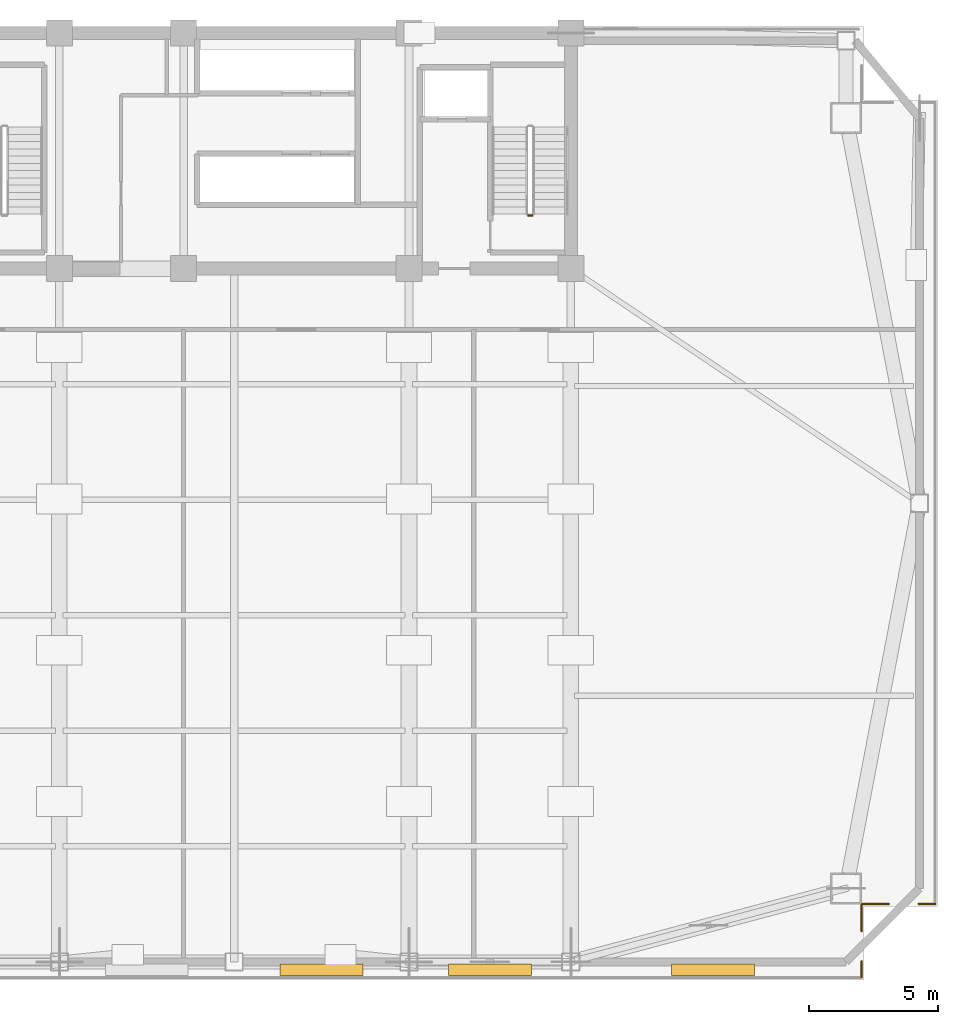
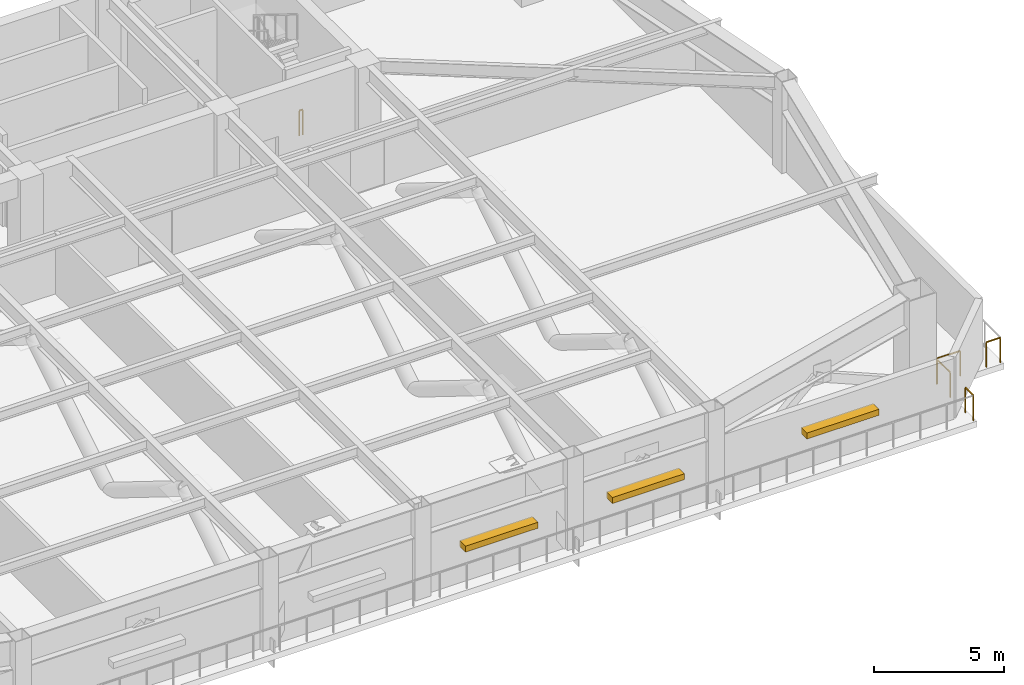
# One storey, part 8 of 11: 5 railings, 3 shading devices.
"""IFC4 building model written with IfcOpenShell, lengths in metres."""

from ifc_helpers import new_model, si_unit, direction, frame, origin, origin_2d, place, context, subcontext, project, spatial, rectangle, extrude, source, transform, mapped, material, type_object, element, save


model = new_model("IFC4")

# Units and contexts
model_context = context("Model", 3, precision=1e-05, world=origin(), true_north=direction((0.0, 1.0)))
body_context = subcontext(model_context, "Body", "Model", "MODEL_VIEW")
ifc_project = project(units=[si_unit("LENGTHUNIT", "METRE"), si_unit("AREAUNIT", "SQUARE_METRE"), si_unit("VOLUMEUNIT", "CUBIC_METRE"), si_unit("PLANEANGLEUNIT", "RADIAN"), si_unit("MASSUNIT", "GRAM", prefix="KILO")], contexts=[model_context])

# Site, building, storey
site_placement = place(None, origin())
site = spatial("IfcSite", under=ifc_project, at=site_placement, CompositionType="ELEMENT")
building_placement = place(site_placement, origin())
building = spatial("IfcBuilding", under=site, at=building_placement, Name="Giltprow Tower", CompositionType="ELEMENT")
storey_placement = place(building_placement, frame((0.0, 0.0, 191.199951171875)))
storey = spatial("IfcBuildingStorey", under=building, at=storey_placement, Name="L48", CompositionType="ELEMENT", Elevation=191.199951171875)

# Railings
ifc_material = material(Name="Anodized bronze", Category="metal")
railing_type_1 = type_object("IfcRailingType", Name="RAIL-BALC-GUARD-1200", PredefinedType="BALUSTRADE", material=ifc_material)
railing_1_placement = place(storey_placement, frame((64.612060546875, 12.916015625, 0.0)))
element("IfcRailing", 1, at=railing_1_placement, inside=storey, type_object=railing_type_1, Name="L48 Corner Apron Edge Balustrade 13", PredefinedType="BALUSTRADE", context=body_context, shape_type="SweptSolid", body=[
    extrude(rectangle(XDim=0.048095703125, YDim=0.048095703125, at=origin_2d()), frame((0.0, 0.0, 1.17578125), z_axis=(-1.0, 0.0, 0.0), x_axis=(0.0, -1.0, 0.0)), (0.0, 0.0, 1.0), 0.619140625),
    extrude(rectangle(XDim=0.0419921875, YDim=0.0419921875, at=origin_2d()), origin(), (0.0, 0.0, 1.0), 1.15185546875),
    extrude(rectangle(XDim=0.0419921875, YDim=0.0419921875, at=origin_2d()), frame((-0.619140625, 0.0, 0.0)), (0.0, 0.0, 1.0), 1.15185546875),
])
railing_2_placement = place(storey_placement, frame((62.8330078125, 12.916015625, 0.0)))
element("IfcRailing", 2, at=railing_2_placement, inside=storey, type_object=railing_type_1, Name="L48 Corner Apron Edge Balustrade 14", PredefinedType="BALUSTRADE", context=body_context, shape_type="SweptSolid", body=[
    extrude(rectangle(XDim=0.048095703125, YDim=0.048095703125, at=origin_2d()), frame((0.0, 0.0, 1.17578125), z_axis=(-1.0, 0.0, 0.0), x_axis=(0.0, -1.0, 0.0)), (0.0, 0.0, 1.0), 1.02099609375),
    extrude(rectangle(XDim=0.0419921875, YDim=0.0419921875, at=origin_2d()), origin(), (0.0, 0.0, 1.0), 1.15185546875),
    extrude(rectangle(XDim=0.0419921875, YDim=0.0419921875, at=origin_2d()), frame((-1.02099609375, 0.0, 0.0)), (0.0, 0.0, 1.0), 1.15185546875),
])
railing_3_placement = place(storey_placement, frame((61.777099609375, 12.8798828125, 0.0)))
element("IfcRailing", 3, at=railing_3_placement, inside=storey, type_object=railing_type_1, Name="L48 Corner Apron Edge Balustrade 15", PredefinedType="BALUSTRADE", context=body_context, shape_type="SweptSolid", body=[
    extrude(rectangle(XDim=0.048095703125, YDim=0.048095703125, at=origin_2d()), frame((0.0, 0.0, 1.17578125), z_axis=(0.0, -1.0, 0.0), x_axis=(1.0, 0.0, 0.0)), (0.0, 0.0, 1.0), 1.019775390625),
    extrude(rectangle(XDim=0.0419921875, YDim=0.0419921875, at=origin_2d()), origin(), (0.0, 0.0, 1.0), 1.15185546875),
    extrude(rectangle(XDim=0.0419921875, YDim=0.0419921875, at=origin_2d()), frame((0.0, -1.019775390625, 0.0)), (0.0, 0.0, 1.0), 1.15185546875),
])
railing_4_placement = place(storey_placement, frame((61.777099609375, 10.699951171875, 0.0)))
element("IfcRailing", 4, at=railing_4_placement, inside=storey, type_object=railing_type_1, Name="L48 Corner Apron Edge Balustrade 16", PredefinedType="BALUSTRADE", context=body_context, shape_type="SweptSolid", body=[
    extrude(rectangle(XDim=0.048095703125, YDim=0.048095703125, at=origin_2d()), frame((0.0, 0.0, 1.17578125), z_axis=(0.0, -1.0, 0.0), x_axis=(1.0, 0.0, 0.0)), (0.0, 0.0, 1.0), 0.619873046875),
    extrude(rectangle(XDim=0.0419921875, YDim=0.0419921875, at=origin_2d()), origin(), (0.0, 0.0, 1.0), 1.15185546875),
    extrude(rectangle(XDim=0.0419921875, YDim=0.0419921875, at=origin_2d()), frame((0.0, -0.619873046875, 0.0)), (0.0, 0.0, 1.0), 1.15185546875),
])
railing_type_2 = type_object("IfcRailingType", Name="RAIL-STAIR-GUARD-1200", PredefinedType="GUARDRAIL", material=ifc_material)
railing_5_placement = place(storey_placement, frame((49.06005859375, 39.5, 0.0)))
element("IfcRailing", 5, at=railing_5_placement, inside=storey, type_object=railing_type_2, Name="L48 ST-3 stair guard 4", PredefinedType="GUARDRAIL", context=body_context, shape_type="SweptSolid", body=[
    extrude(rectangle(XDim=0.048095703125, YDim=0.048095703125, at=origin_2d()), frame((0.0, 0.0, 1.17578125), z_axis=(-1.0, 0.0, 0.0), x_axis=(0.0, -1.0, 0.0)), (0.0, 0.0, 1.0), 0.16015625),
    extrude(rectangle(XDim=0.0419921875, YDim=0.0419921875, at=origin_2d()), origin(), (0.0, 0.0, 1.0), 1.15185546875),
    extrude(rectangle(XDim=0.0419921875, YDim=0.0419921875, at=origin_2d()), frame((-0.16015625, 0.0, 0.0)), (0.0, 0.0, 1.0), 1.15185546875),
])

# Shading devices
shading_device_type = type_object("IfcShadingDeviceType", Name="SHD-LOUVRE-320", PredefinedType="JALOUSIE", material=ifc_material)
shared_shape = source(origin(), body_context, "Body", "SweptSolid", [
    extrude(rectangle(XDim=3.199951171875, YDim=0.449951171875, at=origin_2d()), origin(), (0.0, 0.0, 1.0), 0.280029296875),
])
for number, where, z_axis, x_axis, name in (
    (6, (40.925048828125, 10.3701171875, 1.66015625), (0.0, 0.0, 1.0), (1.0, 0.0, 0.0), "L48 Refuge Intake Louvre S-4"),
    (7, (47.425048828125, 10.3701171875, 1.66015625), (0.0, 0.0, 1.0), (1.0, 0.0, 0.0), "L48 Refuge Intake Louvre S-5"),
    (8, (56.0380859375, 10.3701171875, 1.66015625), (0.0, 0.0, 1.0), (1.0, 0.0, 0.0), "L48 Refuge Intake Louvre S-6"),
):
    element("IfcShadingDevice", number, at=place(storey_placement, frame(where, z_axis=z_axis, x_axis=x_axis)), inside=storey, type_object=shading_device_type, Name=name, PredefinedType="JALOUSIE", context=body_context, shape_type="MappedRepresentation", body=[
        mapped(shared_shape, transform((0.0, 0.0, 0.0), x_axis=(1.0, 0.0, 0.0), y_axis=(0.0, 1.0, 0.0), z_axis=(0.0, 0.0, 1.0), scale=1.0)),
    ])

save(model, "model.ifc")
